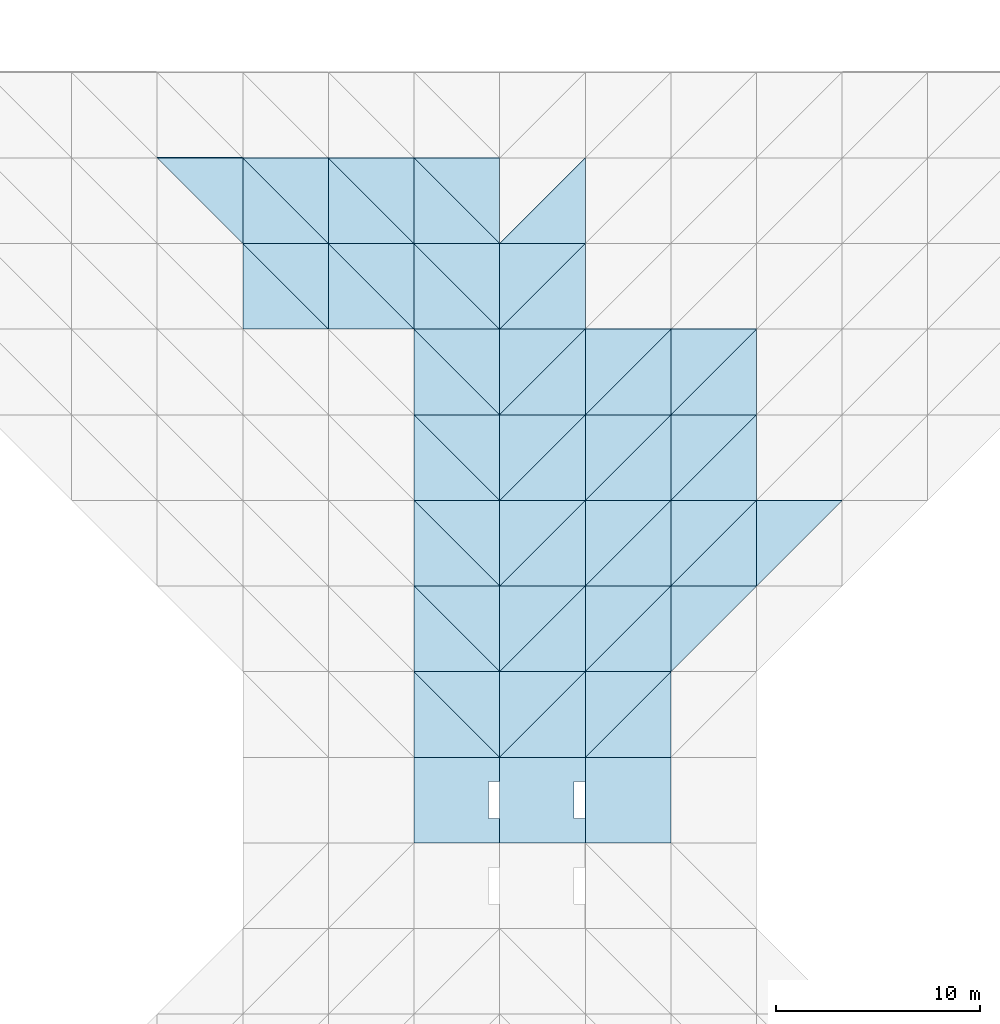
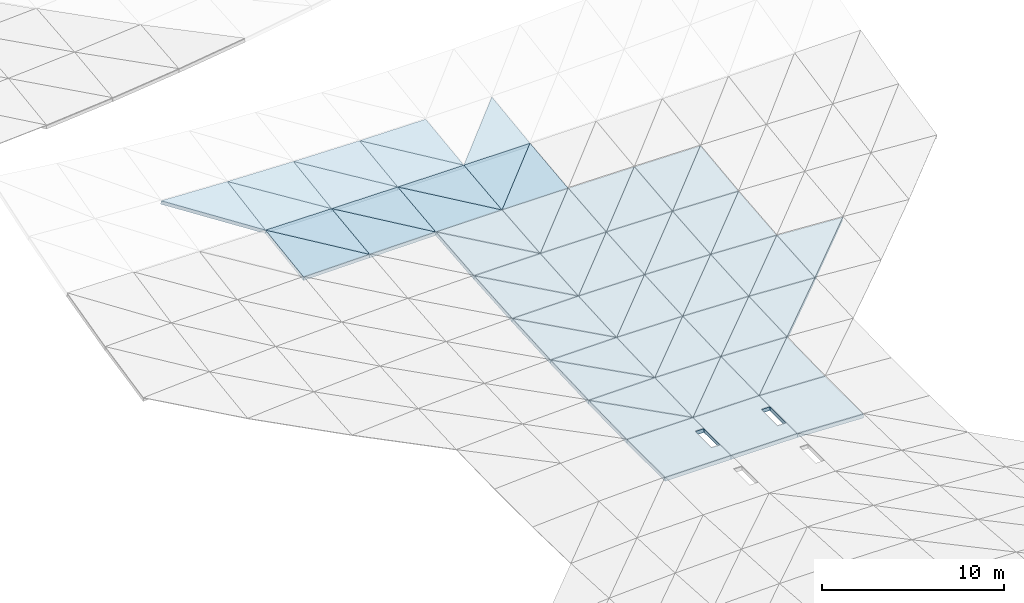
# One storey, part 24 of 64: 57 slabs.
"""IFC4 building model written with IfcOpenShell, lengths in metres."""

import ifcopenshell
import ifcopenshell.guid

model = None  # the IFC model being written
_history = None  # IfcOwnerHistory: only IFC2X3 demands one
_inside = {}  # id of a spatial element -> (the spatial element, [elements in it])
_under = {}  # id of a project, library or spatial element -> (it, [spatial elements below it])
_declared = {}  # id of a project -> (the project, [libraries it declares])
_typed = {}  # id of a type object -> (the type object, [elements of that type])
_made_of = {}  # id of a material, layer set ... -> (it, [elements and type objects made of it])


def new_model(schema):
    """Start an empty IFC model of exactly this schema.

    Asked for "IFC4X3", IfcOpenShell would pick the latest addendum, in which some entities
    have other attributes; the version numbers below select the first issue.
    IFC2X3 requires an IfcOwnerHistory on every rooted entity: one is made here for all.
    """
    global model, _history
    if schema == "IFC4X3":
        model = ifcopenshell.file(schema_version=(4, 3, 0, 0))
    else:
        model = ifcopenshell.file(schema=schema)
    _inside.clear()
    _under.clear()
    _declared.clear()
    _typed.clear()
    _made_of.clear()
    _history = None
    if model.schema == "IFC2X3":
        org = make("IfcOrganization", Name="unknown")
        user = make(
            "IfcPersonAndOrganization",
            ThePerson=make("IfcPerson", FamilyName="unknown"),
            TheOrganization=org,
        )
        app = make(
            "IfcApplication",
            ApplicationDeveloper=org,
            Version="unknown",
            ApplicationFullName="unknown",
            ApplicationIdentifier="unknown",
        )
        _history = make(
            "IfcOwnerHistory",
            OwningUser=user,
            OwningApplication=app,
            ChangeAction="ADDED",
            CreationDate=0,
        )
    return model


def make(cls, **values):
    """One entity of the class cls with the attributes given. An attribute that is None is left unset."""
    return model.create_entity(
        cls, **{name: value for name, value in values.items() if value is not None}
    )


def rooted(cls, **values):
    """An entity with a GlobalId (a new one), such as an element, a storey or a relation."""
    return make(cls, GlobalId=ifcopenshell.guid.new(), OwnerHistory=_history, **values)


def si_unit(unit_type, name, prefix=None):
    """IfcSIUnit, for example si_unit("LENGTHUNIT", "METRE", prefix="MILLI")."""
    return make("IfcSIUnit", UnitType=unit_type, Prefix=prefix, Name=name)


def assignment(units):
    """IfcUnitAssignment: the units of a project."""
    return None if units is None else make("IfcUnitAssignment", Units=units)


def point(xyz):
    """IfcCartesianPoint."""
    return None if xyz is None else make("IfcCartesianPoint", Coordinates=xyz)


def direction(xyz):
    """IfcDirection."""
    return None if xyz is None else make("IfcDirection", DirectionRatios=xyz)


def frame(location, z_axis=None, x_axis=None):
    """IfcAxis2Placement3D, a coordinate frame: its origin and axes. An axis left out is left unset."""
    return make(
        "IfcAxis2Placement3D",
        Location=point(location),
        Axis=direction(z_axis),
        RefDirection=direction(x_axis),
    )


def origin():
    """The frame at (0, 0, 0) with its axes left unset."""
    return frame((0.0, 0.0, 0.0))


def place(relative_to, where):
    """IfcLocalPlacement: puts the frame where relative to a parent placement (None: the world)."""
    return make(
        "IfcLocalPlacement", PlacementRelTo=relative_to, RelativePlacement=where
    )


def context(
    kind, dimensions, precision=None, world=None, true_north=None, identifier=None
):
    """IfcGeometricRepresentationContext, for example the 3D "Model" context."""
    return make(
        "IfcGeometricRepresentationContext",
        ContextIdentifier=identifier,
        ContextType=kind,
        CoordinateSpaceDimension=dimensions,
        Precision=precision,
        WorldCoordinateSystem=world,
        TrueNorth=true_north,
    )


def subcontext(parent, identifier, kind, view, scale=None):
    """IfcGeometricRepresentationSubContext, for example "Body" below "Model"."""
    return make(
        "IfcGeometricRepresentationSubContext",
        ContextIdentifier=identifier,
        ContextType=kind,
        ParentContext=parent,
        TargetScale=scale,
        TargetView=view,
    )


def project(units=None, contexts=None):
    """IfcProject with its units and contexts."""
    return rooted(
        "IfcProject",
        Name="project",
        RepresentationContexts=contexts,
        UnitsInContext=assignment(units),
    )


def spatial(cls, under=None, at=None, **own):
    """A site, building, storey or space (cls), placed at a placement, below another one or the project."""
    s = rooted(cls, ObjectPlacement=at, **own)
    if under is not None:
        _under.setdefault(under.id(), (under, []))[1].append(s)
    return s


def polyline(points):
    """IfcPolyline through the points."""
    return make("IfcPolyline", Points=[point(p) for p in points])


def outline(outer, holes=None, kind="AREA"):
    """IfcArbitraryClosedProfileDef: a profile drawn as a closed curve; with holes, ...WithVoids."""
    if holes is None:
        return make("IfcArbitraryClosedProfileDef", ProfileType=kind, OuterCurve=outer)
    return make(
        "IfcArbitraryProfileDefWithVoids",
        ProfileType=kind,
        OuterCurve=outer,
        InnerCurves=holes,
    )


def extrude(swept, where, along, depth):
    """IfcExtrudedAreaSolid: the profile swept, set in the frame where, extruded along a direction by depth."""
    return make(
        "IfcExtrudedAreaSolid",
        SweptArea=swept,
        Position=where,
        ExtrudedDirection=direction(along),
        Depth=depth,
    )


def shape(context_of_items, identifier, shape_type, items):
    """IfcShapeRepresentation: the items that make up one representation, for example the "Body"."""
    return make(
        "IfcShapeRepresentation",
        ContextOfItems=context_of_items,
        RepresentationIdentifier=identifier,
        RepresentationType=shape_type,
        Items=items,
    )


def material(Name=None, Category=None):
    """IfcMaterial."""
    return make("IfcMaterial", Name=Name, Category=Category)


def layer(
    of_material, thickness, ventilated=None, Name=None, Category=None, Priority=None
):
    """IfcMaterialLayer: one layer of a wall or slab, of a material (None: an air gap)."""
    return make(
        "IfcMaterialLayer",
        Material=of_material,
        LayerThickness=thickness,
        IsVentilated=ventilated,
        Name=Name,
        Category=Category,
        Priority=Priority,
    )


def layer_set(layers, Name=None):
    """IfcMaterialLayerSet."""
    return make("IfcMaterialLayerSet", MaterialLayers=layers, LayerSetName=Name)


def made_of(thing, what):
    """Note that an element or type object is made of a material, layer set ...; save() writes the relation."""
    if what is not None:
        _made_of.setdefault(what.id(), (what, []))[1].append(thing)
    return thing


def type_object(cls, material=None, **own):
    """A type object (cls), such as IfcWallType, which elements share."""
    return made_of(rooted(cls, **own), material)


def element(
    cls,
    number,
    at=None,
    inside=None,
    cuts=None,
    type_object=None,
    material=None,
    context=None,
    identifier="Body",
    shape_type=None,
    held_by="IfcProductDefinitionShape",
    body=None,
    shapes=None,
    **own,
):
    """One element of the class cls, such as IfcWall. Its Tag is "e" and its number.

    at: its placement. inside: the storey or other place that contains it. cuts: it is an
    opening in that element (IfcRelVoidsElement). A single representation is given by context,
    identifier, shape_type and body (its items); several are given by shapes. held_by: the class
    of the entity that holds the representations. save() writes the other relations.
    """
    e = rooted(cls, Tag="e%d" % number, ObjectPlacement=at, **own)
    if body is not None:
        shapes = [shape(context, identifier, shape_type, body)]
    if shapes is not None:
        e.Representation = make(held_by, Representations=shapes)
    if inside is not None:
        _inside.setdefault(inside.id(), (inside, []))[1].append(e)
    if cuts is not None:
        rooted(
            "IfcRelVoidsElement", RelatingBuildingElement=cuts, RelatedOpeningElement=e
        )
    if type_object is not None:
        _typed.setdefault(type_object.id(), (type_object, []))[1].append(e)
    return made_of(e, material)


def aggregate(whole, parts):
    """IfcRelAggregates: a whole, such as a stair, and the parts it consists of."""
    return rooted("IfcRelAggregates", RelatingObject=whole, RelatedObjects=parts)


def save(model, path):
    """Write the relations noted so far, then the file.

    IfcRelAggregates (storeys below a building ...), IfcRelContainedInSpatialStructure (elements
    in a storey), IfcRelDefinesByType, IfcRelAssociatesMaterial and IfcRelDeclares: one each for
    every whole, place, type object, material and project.
    """
    for whole, parts in _under.values():
        aggregate(whole, parts)
    for where, things in _inside.values():
        rooted(
            "IfcRelContainedInSpatialStructure",
            RelatedElements=things,
            RelatingStructure=where,
        )
    for kind, things in _typed.values():
        rooted("IfcRelDefinesByType", RelatedObjects=things, RelatingType=kind)
    for what, things in _made_of.values():
        rooted("IfcRelAssociatesMaterial", RelatedObjects=things, RelatingMaterial=what)
    for by, libraries in _declared.values():
        rooted("IfcRelDeclares", RelatingContext=by, RelatedDefinitions=libraries)
    model.write(path)


model = new_model("IFC4")

# Units and contexts
model_context = context("Model", 3, precision=1e-05, world=origin(), true_north=direction((0.0, 1.0)))
body_context = subcontext(model_context, "Body", "Model", "MODEL_VIEW")
ifc_project = project(units=[si_unit("LENGTHUNIT", "METRE"), si_unit("AREAUNIT", "SQUARE_METRE"), si_unit("VOLUMEUNIT", "CUBIC_METRE"), si_unit("PLANEANGLEUNIT", "RADIAN"), si_unit("MASSUNIT", "GRAM", prefix="KILO")], contexts=[model_context])

# Site, building, storey
site_placement = place(None, origin())
site = spatial("IfcSite", under=ifc_project, at=site_placement, CompositionType="ELEMENT")
building_placement = place(site_placement, origin())
building = spatial("IfcBuilding", under=site, at=building_placement, Name="Cumbredor Promenade Congress Hotel", CompositionType="ELEMENT")
storey_placement = place(building_placement, frame((0.0, 0.0, 18.47998046875)))
storey = spatial("IfcBuildingStorey", under=building, at=storey_placement, Name="L05", CompositionType="ELEMENT", Elevation=18.47998046875)

# Slabs
ifc_material = material(Name="Concrete C40/50", Category="concrete")
ifc_layer = layer(ifc_material, 0.25, Name="Concrete C40/50", Category="concrete")
ifc_layer_set = layer_set([ifc_layer], Name="Concrete C40/50")
slab_type = type_object("IfcSlabType", Name="Catenary Space Frame Roof Deck 250mm", PredefinedType="ROOF", material=ifc_layer_set)
slab_1_placement = place(storey_placement, frame((151.199951171875, 63.0, 1.90869140625), z_axis=(0.041164007817, -0.168148387982, 0.984901844896), x_axis=(0.0, 0.985737352899, 0.168291030952)))
element("IfcSlab", 1, at=slab_1_placement, inside=storey, type_object=slab_type, Name="Grand Ballroom Pavilion Sweeping Roof Deck Facet 3.16.2", PredefinedType="ROOF", context=body_context, shape_type="SweptSolid", body=[
    extrude(outline(polyline([(0.0, 0.0), (4.260720322225189, 3.469446951953614e-18), (4.290261643332224, 4.203514057696152), (0.0, 0.0)])), origin(), (0.0, 0.0, -1.0), 0.25),
])
slab_2_placement = place(storey_placement, frame((151.199951171875, 58.800048828125, 1.294189453125), z_axis=(-0.012825240402, -0.144758430906, 0.9893839042), x_axis=(0.999915992778, 0.0, 0.012961766342)))
element("IfcSlab", 2, at=slab_2_placement, inside=storey, type_object=slab_type, Name="Grand Ballroom Pavilion Sweeping Roof Deck Facet 4.15.1", PredefinedType="ROOF", context=body_context, shape_type="SweptSolid", body=[
    extrude(outline(polyline([(0.0, 0.0), (4.20030402774778, 0.0), (0.00796503073339736, 4.244660063516752), (0.0, 0.0)])), origin(), (0.0, 0.0, -1.0), 0.25),
])
slab_3_placement = place(storey_placement, frame((155.39990234375, 58.800048828125, 1.3486328125), z_axis=(0.006747173413, -0.125543559999, 0.992065164288), x_axis=(0.0, 0.992087746619, 0.125546417741)))
element("IfcSlab", 3, at=slab_3_placement, inside=storey, type_object=slab_type, Name="Grand Ballroom Pavilion Sweeping Roof Deck Facet 4.15.2", PredefinedType="ROOF", context=body_context, shape_type="SweptSolid", body=[
    extrude(outline(polyline([(0.0, 0.0), (4.23344727942287, 8.673617379884035e-19), (4.237033444187431, 4.20004677516082), (0.0, 0.0)])), origin(), (0.0, 0.0, -1.0), 0.25),
])
slab_4_placement = place(storey_placement, frame((151.199951171875, 63.0, 1.90869140625), z_axis=(0.006703986431, -0.168287249121, 0.98571520144), x_axis=(0.999976873054, 0.0, -0.006800982047)))
element("IfcSlab", 4, at=slab_4_placement, inside=storey, type_object=slab_type, Name="Grand Ballroom Pavilion Sweeping Roof Deck Facet 4.16.1", PredefinedType="ROOF", context=body_context, shape_type="SweptSolid", body=[
    extrude(outline(polyline([(0.0, 0.0), (4.200048306164646, 8.673617379884035e-19), (-0.004876583073928053, 4.260717531491642), (0.0, 0.0)])), origin(), (0.0, 0.0, -1.0), 0.25),
])
slab_5_placement = place(storey_placement, frame((155.39990234375, 63.0, 1.880126953125), z_axis=(0.029545158149, -0.14600136517, 0.988843104339), x_axis=(0.0, 0.989274975767, 0.14606513041)))
element("IfcSlab", 5, at=slab_5_placement, inside=storey, type_object=slab_type, Name="Grand Ballroom Pavilion Sweeping Roof Deck Facet 4.16.2", PredefinedType="ROOF", context=body_context, shape_type="SweptSolid", body=[
    extrude(outline(polyline([(0.0, 0.0), (4.245484091639857, 3.469446951953614e-18), (4.263813553805596, 4.201785475923536), (0.0, 0.0)])), origin(), (0.0, 0.0, -1.0), 0.25),
])
slab_6_placement = place(storey_placement, frame((155.39990234375, 58.800048828125, 1.3486328125), z_axis=(-0.007727027974, -0.125542669687, 0.992058128905), x_axis=(0.999969668005, 0.0, 0.007788650053)))
element("IfcSlab", 6, at=slab_6_placement, inside=storey, type_object=slab_type, Name="Grand Ballroom Pavilion Sweeping Roof Deck Facet 5.15.1", PredefinedType="ROOF", context=body_context, shape_type="SweptSolid", body=[
    extrude(outline(polyline([(0.0, 0.0), (4.200322716666966, -8.673617379884035e-19), (0.004139621866575267, 4.233445255484438), (0.0, 0.0)])), origin(), (0.0, 0.0, -1.0), 0.25),
])
slab_7_placement = place(storey_placement, frame((159.60009765625, 58.800048828125, 1.38134765625), z_axis=(0.004042289415, -0.113941437474, 0.993479244233), x_axis=(0.0, 0.99348736111, 0.113942368393)))
element("IfcSlab", 7, at=slab_7_placement, inside=storey, type_object=slab_type, Name="Grand Ballroom Pavilion Sweeping Roof Deck Facet 5.15.2", PredefinedType="ROOF", context=body_context, shape_type="SweptSolid", body=[
    extrude(outline(polyline([(0.0, 0.0), (4.227483243655266, -2.168404344971009e-19), (4.229430500927612, 4.200229628734062), (0.0, 0.0)])), origin(), (0.0, 0.0, -1.0), 0.25),
])
slab_8_placement = place(storey_placement, frame((155.39990234375, 63.0, 1.880126953125), z_axis=(0.004025150391, -0.146063947144, 0.989266961699), x_axis=(0.99999172245, 0.0, -0.004068787524)))
element("IfcSlab", 8, at=slab_8_placement, inside=storey, type_object=slab_type, Name="Grand Ballroom Pavilion Sweeping Roof Deck Facet 5.16.1", PredefinedType="ROOF", context=body_context, shape_type="SweptSolid", body=[
    extrude(outline(polyline([(0.0, 0.0), (4.200230080115418, 0.0), (-0.002523125076227548, 4.245483341883107), (0.0, 0.0)])), origin(), (0.0, 0.0, -1.0), 0.25),
])
slab_9_placement = place(storey_placement, frame((159.60009765625, 63.0, 1.863037109375), z_axis=(0.017741856006, -0.132610800752, 0.99100938546), x_axis=(0.0, 0.991165394015, 0.13263167686)))
element("IfcSlab", 9, at=slab_9_placement, inside=storey, type_object=slab_type, Name="Grand Ballroom Pavilion Sweeping Roof Deck Facet 5.16.2", PredefinedType="ROOF", context=body_context, shape_type="SweptSolid", body=[
    extrude(outline(polyline([(0.0, 0.0), (4.237386814788865, 0.0), (4.247360095177753, 4.200856523596972), (0.0, 0.0)])), origin(), (0.0, 0.0, -1.0), 0.25),
])
slab_10_placement = place(storey_placement, frame((0.0, 0.0, -0.07275390625)))
element("IfcSlab", 10, at=slab_10_placement, inside=storey, type_object=slab_type, Name="Grand Ballroom Pavilion Saddle Skylight Roof Slab 6.9", PredefinedType="ROOF", context=body_context, shape_type="SweptSolid", body=[
    extrude(outline(polyline([(159.60009765625, 33.60009765625), (163.800048828125, 33.60009765625), (163.800048828125, 34.800048828125), (163.25, 34.800048828125), (163.25, 36.60009765625), (163.800048828125, 36.60009765625), (163.800048828125, 37.800048828125), (159.60009765625, 37.800048828125), (159.60009765625, 33.60009765625)])), origin(), (0.0, 0.0, 1.0), 0.25),
])
slab_11_placement = place(storey_placement, frame((159.60009765625, 37.800048828125, 0.17724609375), z_axis=(0.0, -0.019121074856, 0.999817175536), x_axis=(1.0, 0.0, 0.0)))
element("IfcSlab", 11, at=slab_11_placement, inside=storey, type_object=slab_type, Name="Grand Ballroom Pavilion Sweeping Roof Deck Facet 6.10.1", PredefinedType="ROOF", context=body_context, shape_type="SweptSolid", body=[
    extrude(outline(polyline([(0.0, 0.0), (4.199951171875, 0.0), (0.0, 4.200719166105885), (0.0, 0.0)])), origin(), (0.0, 0.0, -1.0), 0.25),
])
slab_12_placement = place(storey_placement, frame((163.800048828125, 37.800048828125, 0.17724609375), z_axis=(-0.011793808563, -0.030907912096, 0.999452653731), x_axis=(0.0, 0.999522169877, 0.030910061871)))
element("IfcSlab", 12, at=slab_12_placement, inside=storey, type_object=slab_type, Name="Grand Ballroom Pavilion Sweeping Roof Deck Facet 6.10.2", PredefinedType="ROOF", context=body_context, shape_type="SweptSolid", body=[
    extrude(outline(polyline([(0.0, 0.0), (4.201958994459262, 0.0), (4.200427074888974, 4.20024329618692), (0.0, 0.0)])), origin(), (0.0, 0.0, -1.0), 0.25),
])
slab_13_placement = place(storey_placement, frame((159.60009765625, 42.0, 0.257568359375), z_axis=(-0.011790825291, -0.03821853715, 0.9991998398), x_axis=(0.999930384115, 0.0, 0.011799445909)))
element("IfcSlab", 13, at=slab_13_placement, inside=storey, type_object=slab_type, Name="Grand Ballroom Pavilion Sweeping Roof Deck Facet 6.11.1", PredefinedType="ROOF", context=body_context, shape_type="SweptSolid", body=[
    extrude(outline(polyline([(0.0, 0.0), (4.200243575549011, -2.168404344971009e-19), (0.0018955164570872225, 4.203021879382985), (0.0, 0.0)])), origin(), (0.0, 0.0, -1.0), 0.25),
])
slab_14_placement = place(storey_placement, frame((163.800048828125, 42.0, 0.30712890625), z_axis=(-0.010455598856, -0.036885029296, 0.999264817286), x_axis=(0.0, 0.999319441354, 0.036887045589)))
element("IfcSlab", 14, at=slab_14_placement, inside=storey, type_object=slab_type, Name="Grand Ballroom Pavilion Sweeping Roof Deck Facet 6.11.2", PredefinedType="ROOF", context=body_context, shape_type="SweptSolid", body=[
    extrude(outline(polyline([(0.0, 0.0), (4.202811431532914, 2.168404344971009e-19), (4.2011904187873235, 4.200180759079613), (0.0, 0.0)])), origin(), (0.0, 0.0, -1.0), 0.25),
])
slab_15_placement = place(storey_placement, frame((159.60009765625, 46.199951171875, 0.418212890625), z_axis=(-0.010445577254, -0.05721855096, 0.998307030598), x_axis=(0.999945264262, 0.0, 0.01046271857)))
element("IfcSlab", 15, at=slab_15_placement, inside=storey, type_object=slab_type, Name="Grand Ballroom Pavilion Sweeping Roof Deck Facet 6.12.1", PredefinedType="ROOF", context=body_context, shape_type="SweptSolid", body=[
    extrude(outline(polyline([(0.0, 0.0), (4.200181071885462, 4.336808689942018e-19), (0.0025186134058709946, 4.20684334150355), (0.0, 0.0)])), origin(), (0.0, 0.0, -1.0), 0.25),
])
slab_16_placement = place(storey_placement, frame((163.800048828125, 46.199951171875, 0.462158203125), z_axis=(-0.008531629051, -0.055310493103, 0.998432752196), x_axis=(0.0, 0.998469091488, 0.055312506202)))
element("IfcSlab", 16, at=slab_16_placement, inside=storey, type_object=slab_type, Name="Grand Ballroom Pavilion Sweeping Roof Deck Facet 6.12.2", PredefinedType="ROOF", context=body_context, shape_type="SweptSolid", body=[
    extrude(outline(polyline([(0.0, 0.0), (4.206390771309889, 0.0), (4.20440567892423, 4.200104034700969), (0.0, 0.0)])), origin(), (0.0, 0.0, -1.0), 0.25),
])
slab_17_placement = place(storey_placement, frame((159.60009765625, 50.39990234375, 0.658935546875), z_axis=(-0.008519859035, -0.07621063544, 0.997055340013), x_axis=(0.999963493305, 0.0, 0.008544709267)))
element("IfcSlab", 17, at=slab_17_placement, inside=storey, type_object=slab_type, Name="Grand Ballroom Pavilion Sweeping Roof Deck Facet 6.13.1", PredefinedType="ROOF", context=body_context, shape_type="SweptSolid", body=[
    extrude(outline(polyline([(0.0, 0.0), (4.200104503807392, 0.0), (0.002743235518988233, 4.212446199023506), (0.0, 0.0)])), origin(), (0.0, 0.0, -1.0), 0.25),
])
slab_18_placement = place(storey_placement, frame((163.800048828125, 50.39990234375, 0.69482421875), z_axis=(-0.005913005469, -0.07361843576, 0.997268951829), x_axis=(0.0, 0.99728638636, 0.073619722778)))
element("IfcSlab", 18, at=slab_18_placement, inside=storey, type_object=slab_type, Name="Grand Ballroom Pavilion Sweeping Roof Deck Facet 6.13.2", PredefinedType="ROOF", context=body_context, shape_type="SweptSolid", body=[
    extrude(outline(polyline([(0.0, 0.0), (4.211624032924259, 2.168404344971009e-19), (4.209790729280856, 4.2000245965775225), (0.0, 0.0)])), origin(), (0.0, 0.0, -1.0), 0.25),
])
slab_19_placement = place(storey_placement, frame((159.60009765625, 54.60009765625, 0.97998046875), z_axis=(-0.005902205085, -0.095129658429, 0.995447392916), x_axis=(0.999982422767, 0.0, 0.005929094177)))
element("IfcSlab", 19, at=slab_19_placement, inside=storey, type_object=slab_type, Name="Grand Ballroom Pavilion Sweeping Roof Deck Facet 6.14.1", PredefinedType="ROOF", context=body_context, shape_type="SweptSolid", body=[
    extrude(outline(polyline([(0.0, 0.0), (4.200024996694476, -4.336808689942018e-19), (0.0023797438541346794, 4.21908518545846), (0.0, 0.0)])), origin(), (0.0, 0.0, -1.0), 0.25),
])
slab_20_placement = place(storey_placement, frame((163.800048828125, 54.60009765625, 1.0048828125), z_axis=(-0.002604753796, -0.091860983861, 0.995768434377), x_axis=(0.0, 0.99577181241, 0.091861295489)))
element("IfcSlab", 20, at=slab_20_placement, inside=storey, type_object=slab_type, Name="Grand Ballroom Pavilion Sweeping Roof Deck Facet 6.14.2", PredefinedType="ROOF", context=body_context, shape_type="SweptSolid", body=[
    extrude(outline(polyline([(0.0, 0.0), (4.2177847570403, 0.0), (4.216775538706071, 4.1999654197407645), (0.0, 0.0)])), origin(), (0.0, 0.0, -1.0), 0.25),
])
slab_21_placement = place(storey_placement, frame((159.60009765625, 58.800048828125, 1.38134765625), z_axis=(-0.002598778137, -0.113941983629, 0.993484006272), x_axis=(0.999996578753, 0.0, 0.002615813872)))
element("IfcSlab", 21, at=slab_21_placement, inside=storey, type_object=slab_type, Name="Grand Ballroom Pavilion Sweeping Roof Deck Facet 6.15.1", PredefinedType="ROOF", context=body_context, shape_type="SweptSolid", body=[
    extrude(outline(polyline([(0.0, 0.0), (4.199965540994337, 0.0), (0.001260009953588853, 4.227483055881001), (0.0, 0.0)])), origin(), (0.0, 0.0, -1.0), 0.25),
])
slab_22_placement = place(storey_placement, frame((163.800048828125, 58.800048828125, 1.392333984375), z_axis=(0.001328852181, -0.110063626293, 0.993923655176), x_axis=(0.0, 0.993924532737, 0.110063723471)))
element("IfcSlab", 22, at=slab_22_placement, inside=storey, type_object=slab_type, Name="Grand Ballroom Pavilion Sweeping Roof Deck Facet 6.15.2", PredefinedType="ROOF", context=body_context, shape_type="SweptSolid", body=[
    extrude(outline(polyline([(0.0, 0.0), (4.225623811005921, 1.0842021724855044e-19), (4.226241844609393, 4.199954880117849), (0.0, 0.0)])), origin(), (0.0, 0.0, -1.0), 0.25),
])
slab_23_placement = place(storey_placement, frame((159.60009765625, 63.0, 1.863037109375), z_axis=(0.001325163288, -0.132631560406, 0.991164523743), x_axis=(0.999999106249, 0.0, -0.001336974914)))
element("IfcSlab", 23, at=slab_23_placement, inside=storey, type_object=slab_type, Name="Grand Ballroom Pavilion Sweeping Roof Deck Facet 6.16.1", PredefinedType="ROOF", context=body_context, shape_type="SweptSolid", body=[
    extrude(outline(polyline([(0.0, 0.0), (4.199954925590426, -2.168404344971009e-19), (-0.0007513955692832083, 4.23738674816817), (0.0, 0.0)])), origin(), (0.0, 0.0, -1.0), 0.25),
])
slab_24_placement = place(storey_placement, frame((163.800048828125, 63.0, 1.857421875), z_axis=(0.005937895527, -0.128097124871, 0.991743852008), x_axis=(0.0, 0.991761336222, 0.128099383194)))
element("IfcSlab", 24, at=slab_24_placement, inside=storey, type_object=slab_type, Name="Grand Ballroom Pavilion Sweeping Roof Deck Facet 6.16.2", PredefinedType="ROOF", context=body_context, shape_type="SweptSolid", body=[
    extrude(outline(polyline([(0.0, 0.0), (4.2348405997285665, -8.673617379884035e-19), (4.238061848866501, 4.200025216039137), (0.0, 0.0)])), origin(), (0.0, 0.0, -1.0), 0.25),
])
slab_25_placement = place(storey_placement, frame((0.0, 0.0, -0.07275390625)))
element("IfcSlab", 25, at=slab_25_placement, inside=storey, type_object=slab_type, Name="Grand Ballroom Pavilion Saddle Skylight Roof Slab 7.9", PredefinedType="ROOF", context=body_context, shape_type="SweptSolid", body=[
    extrude(outline(polyline([(163.800048828125, 33.60009765625), (168.0, 33.60009765625), (168.0, 34.800048828125), (167.449951171875, 34.800048828125), (167.449951171875, 36.60009765625), (168.0, 36.60009765625), (168.0, 37.800048828125), (163.800048828125, 37.800048828125), (163.800048828125, 33.60009765625)])), origin(), (0.0, 0.0, 1.0), 0.25),
])
slab_26_placement = place(storey_placement, frame((163.800048828125, 37.800048828125, 0.17724609375), z_axis=(0.0, -0.019121074856, 0.999817175536), x_axis=(1.0, 0.0, 0.0)))
element("IfcSlab", 26, at=slab_26_placement, inside=storey, type_object=slab_type, Name="Grand Ballroom Pavilion Sweeping Roof Deck Facet 7.10.1", PredefinedType="ROOF", context=body_context, shape_type="SweptSolid", body=[
    extrude(outline(polyline([(0.0, 0.0), (4.199951171875, 0.0), (4.199951171875, 4.200719166105885), (0.0, 0.0)])), origin(), (0.0, 0.0, -1.0), 0.25),
])
slab_27_placement = place(storey_placement, frame((163.800048828125, 37.800048828125, 0.17724609375), z_axis=(0.011793808563, -0.030907912096, 0.999452653731), x_axis=(0.707042134113, 0.707042134113, 0.013521877703)))
element("IfcSlab", 27, at=slab_27_placement, inside=storey, type_object=slab_type, Name="Grand Ballroom Pavilion Sweeping Roof Deck Facet 7.10.2", PredefinedType="ROOF", context=body_context, shape_type="SweptSolid", body=[
    extrude(outline(polyline([(0.0, 0.0), (5.940170987322125, 1.5439038936193583e-16), (2.9712986992410975, 2.971168697836806), (0.0, 0.0)])), origin(), (0.0, 0.0, -1.0), 0.25),
])
slab_28_placement = place(storey_placement, frame((163.800048828125, 42.0, 0.30712890625), z_axis=(0.011790825291, -0.03821853715, 0.9991998398), x_axis=(0.999930384115, 0.0, -0.011799445909)))
element("IfcSlab", 28, at=slab_28_placement, inside=storey, type_object=slab_type, Name="Grand Ballroom Pavilion Sweeping Roof Deck Facet 7.11.1", PredefinedType="ROOF", context=body_context, shape_type="SweptSolid", body=[
    extrude(outline(polyline([(0.0, 0.0), (4.200243575549011, 2.168404344971009e-19), (4.1983480590919235, 4.203021879382985), (0.0, 0.0)])), origin(), (0.0, 0.0, -1.0), 0.25),
])
slab_29_placement = place(storey_placement, frame((163.800048828125, 42.0, 0.30712890625), z_axis=(0.010455598856, -0.036885029296, 0.999264817286), x_axis=(0.706983150718, 0.706983150718, 0.018698909119)))
element("IfcSlab", 29, at=slab_29_placement, inside=storey, type_object=slab_type, Name="Grand Ballroom Pavilion Sweeping Roof Deck Facet 7.11.2", PredefinedType="ROOF", context=body_context, shape_type="SweptSolid", body=[
    extrude(outline(polyline([(0.0, 0.0), (5.940666574034686, 1.5482407023093003e-16), (2.9721935910862025, 2.971479292562856), (0.0, 0.0)])), origin(), (0.0, 0.0, -1.0), 0.25),
])
slab_30_placement = place(storey_placement, frame((163.800048828125, 46.199951171875, 0.462158203125), z_axis=(0.010445577254, -0.05721855096, 0.998307030598), x_axis=(0.999945264262, 0.0, -0.01046271857)))
element("IfcSlab", 30, at=slab_30_placement, inside=storey, type_object=slab_type, Name="Grand Ballroom Pavilion Sweeping Roof Deck Facet 7.12.1", PredefinedType="ROOF", context=body_context, shape_type="SweptSolid", body=[
    extrude(outline(polyline([(0.0, 0.0), (4.200181071885462, -4.336808689942018e-19), (4.197662458479591, 4.20684334150355), (0.0, 0.0)])), origin(), (0.0, 0.0, -1.0), 0.25),
])
slab_31_placement = place(storey_placement, frame((163.800048828125, 46.199951171875, 0.462158203125), z_axis=(0.008531629051, -0.055310493103, 0.998432752196), x_axis=(0.706719051196, 0.706719051196, 0.0331114082)))
element("IfcSlab", 31, at=slab_31_placement, inside=storey, type_object=slab_type, Name="Grand Ballroom Pavilion Sweeping Roof Deck Facet 7.12.2", PredefinedType="ROOF", context=body_context, shape_type="SweptSolid", body=[
    extrude(outline(polyline([(0.0, 0.0), (5.94288658946826, 6.591949208711867e-17), (2.975889406675044, 2.972844691570729), (0.0, 0.0)])), origin(), (0.0, 0.0, -1.0), 0.25),
])
slab_32_placement = place(storey_placement, frame((163.800048828125, 50.39990234375, 0.69482421875), z_axis=(0.008519859035, -0.07621063544, 0.997055340013), x_axis=(0.999963493305, 0.0, -0.008544709267)))
element("IfcSlab", 32, at=slab_32_placement, inside=storey, type_object=slab_type, Name="Grand Ballroom Pavilion Sweeping Roof Deck Facet 7.13.1", PredefinedType="ROOF", context=body_context, shape_type="SweptSolid", body=[
    extrude(outline(polyline([(0.0, 0.0), (4.200104503807392, 0.0), (4.197361268288404, 4.212446199023506), (0.0, 0.0)])), origin(), (0.0, 0.0, -1.0), 0.25),
])
slab_33_placement = place(storey_placement, frame((163.800048828125, 50.39990234375, 0.69482421875), z_axis=(0.005913005469, -0.07361843576, 0.997268951829), x_axis=(0.706272810215, 0.706313865427, 0.047952487492)))
element("IfcSlab", 33, at=slab_33_placement, inside=storey, type_object=slab_type, Name="Grand Ballroom Pavilion Sweeping Roof Deck Facet 7.13.2", PredefinedType="ROOF", context=body_context, shape_type="SweptSolid", body=[
    extrude(outline(polyline([(0.0, 0.0), (5.946641455157291, -5.655198531684391e-16), (2.981524267558524, 2.974607543301268), (0.0, 0.0)])), origin(), (0.0, 0.0, -1.0), 0.25),
])
slab_34_placement = place(storey_placement, frame((163.800048828125, 54.60009765625, 1.0048828125), z_axis=(0.005902205085, -0.095129658429, 0.995447392916), x_axis=(0.999982422767, 0.0, -0.005929094177)))
element("IfcSlab", 34, at=slab_34_placement, inside=storey, type_object=slab_type, Name="Grand Ballroom Pavilion Sweeping Roof Deck Facet 7.14.1", PredefinedType="ROOF", context=body_context, shape_type="SweptSolid", body=[
    extrude(outline(polyline([(0.0, 0.0), (4.200024996694476, 4.336808689942018e-19), (4.197645252840341, 4.219085185458459), (0.0, 0.0)])), origin(), (0.0, 0.0, -1.0), 0.25),
])
slab_35_placement = place(storey_placement, frame((163.800048828125, 54.60009765625, 1.0048828125), z_axis=(0.002604753796, -0.091860983861, 0.995768434377), x_axis=(0.705690728944, 0.705690728944, 0.063254961578)))
element("IfcSlab", 35, at=slab_35_placement, inside=storey, type_object=slab_type, Name="Grand Ballroom Pavilion Sweeping Roof Deck Facet 7.14.2", PredefinedType="ROOF", context=body_context, shape_type="SweptSolid", body=[
    extrude(outline(polyline([(0.0, 0.0), (5.95154647724842, -9.020562075079397e-17), (2.988374813001143, 2.976461697005671), (0.0, 0.0)])), origin(), (0.0, 0.0, -1.0), 0.25),
])
slab_36_placement = place(storey_placement, frame((163.800048828125, 58.800048828125, 1.392333984375), z_axis=(0.002598778137, -0.113941983629, 0.993484006272), x_axis=(0.999996578753, 0.0, -0.002615813872)))
element("IfcSlab", 36, at=slab_36_placement, inside=storey, type_object=slab_type, Name="Grand Ballroom Pavilion Sweeping Roof Deck Facet 7.15.1", PredefinedType="ROOF", context=body_context, shape_type="SweptSolid", body=[
    extrude(outline(polyline([(0.0, 0.0), (4.199965540994337, 0.0), (4.198705531040748, 4.227483055881), (0.0, 0.0)])), origin(), (0.0, 0.0, -1.0), 0.25),
])
slab_37_placement = place(storey_placement, frame((163.800048828125, 58.800048828125, 1.392333984375), z_axis=(-0.001328852181, -0.110063626293, 0.993923655176), x_axis=(0.704896787905, 0.704896787905, 0.079000232929)))
element("IfcSlab", 37, at=slab_37_placement, inside=storey, type_object=slab_type, Name="Grand Ballroom Pavilion Sweeping Roof Deck Facet 7.15.2", PredefinedType="ROOF", context=body_context, shape_type="SweptSolid", body=[
    extrude(outline(polyline([(0.0, 0.0), (5.958249837339245, 4.0939474033052647e-16), (2.9972741421037905, 2.9786312811786875), (0.0, 0.0)])), origin(), (0.0, 0.0, -1.0), 0.25),
])
slab_38_placement = place(storey_placement, frame((163.800048828125, 63.0, 1.857421875), z_axis=(-0.001325163288, -0.132631560406, 0.991164523743), x_axis=(0.999999106249, 0.0, 0.001336974914)))
element("IfcSlab", 38, at=slab_38_placement, inside=storey, type_object=slab_type, Name="Grand Ballroom Pavilion Sweeping Roof Deck Facet 7.16.1", PredefinedType="ROOF", context=body_context, shape_type="SweptSolid", body=[
    extrude(outline(polyline([(0.0, 0.0), (4.199954925590426, 2.168404344971009e-19), (4.200706321159709, 4.23738674816817), (0.0, 0.0)])), origin(), (0.0, 0.0, -1.0), 0.25),
])
slab_39_placement = place(storey_placement, frame((168.0, 33.60009765625, 0.17724609375), z_axis=(0.037409127573, 0.0, 0.999300033611), x_axis=(0.999300033611, 0.0, -0.037409127573)))
element("IfcSlab", 39, at=slab_39_placement, inside=storey, type_object=slab_type, Name="Grand Ballroom Pavilion Sweeping Roof Deck Facet 8.9", PredefinedType="ROOF", context=body_context, shape_type="SweptSolid", body=[
    extrude(outline(polyline([(0.0, 0.0), (4.202893055752163, 0.0), (4.202893055752163, 4.199951171875), (0.0, 4.199951171875), (0.0, 0.0)])), origin(), (0.0, 0.0, -1.0), 0.25),
])
slab_40_placement = place(storey_placement, frame((168.0, 37.800048828125, 0.17724609375), z_axis=(0.037400859503, -0.021023464503, 0.999079170861), x_axis=(0.999300033611, 0.0, -0.037409127573)))
element("IfcSlab", 40, at=slab_40_placement, inside=storey, type_object=slab_type, Name="Grand Ballroom Pavilion Sweeping Roof Deck Facet 8.10.1", PredefinedType="ROOF", context=body_context, shape_type="SweptSolid", body=[
    extrude(outline(polyline([(0.0, 0.0), (4.202893055752163, -4.336808689942018e-19), (4.199586877973459, 4.200879639598429), (0.0, 0.0)])), origin(), (0.0, 0.0, -1.0), 0.25),
])
slab_41_placement = place(storey_placement, frame((168.0, 37.800048828125, 0.17724609375), z_axis=(0.035488199323, -0.019109030404, 0.999187386162), x_axis=(0.70705928365, 0.70705928365, -0.011590462012)))
element("IfcSlab", 41, at=slab_41_placement, inside=storey, type_object=slab_type, Name="Grand Ballroom Pavilion Sweeping Roof Deck Facet 8.10.2", PredefinedType="ROOF", context=body_context, shape_type="SweptSolid", body=[
    extrude(outline(polyline([(0.0, 0.0), (5.940026910043379, -9.80118763926896e-17), (2.9686834947810765, 2.9720295793117093), (0.0, 0.0)])), origin(), (0.0, 0.0, -1.0), 0.25),
])
slab_42_placement = place(storey_placement, frame((168.0, 42.0, 0.257568359375), z_axis=(0.035463154238, -0.042137888668, 0.998482229702), x_axis=(0.999369865295, 0.0, -0.035494680445)))
element("IfcSlab", 42, at=slab_42_placement, inside=storey, type_object=slab_type, Name="Grand Ballroom Pavilion Sweeping Roof Deck Facet 8.11.1", PredefinedType="ROOF", context=body_context, shape_type="SweptSolid", body=[
    extrude(outline(polyline([(0.0, 0.0), (4.202599375592014, 0.0), (4.196308082134233, 4.203684864914406), (0.0, 0.0)])), origin(), (0.0, 0.0, -1.0), 0.25),
])
slab_43_placement = place(storey_placement, frame((168.0, 42.0, 0.257568359375), z_axis=(0.031525520503, -0.038202196116, 0.998772613646), x_axis=(0.707098881588, 0.707098881588, 0.004726871556)))
element("IfcSlab", 43, at=slab_43_placement, inside=storey, type_object=slab_type, Name="Grand Ballroom Pavilion Sweeping Roof Deck Facet 8.11.2", PredefinedType="ROOF", context=body_context, shape_type="SweptSolid", body=[
    extrude(outline(polyline([(0.0, 0.0), (5.939694265170181, -2.255140518769849e-16), (2.9705401224214047, 2.973430324160858), (0.0, 0.0)])), origin(), (0.0, 0.0, -1.0), 0.25),
])
slab_44_placement = place(storey_placement, frame((168.0, 46.199951171875, 0.418212890625), z_axis=(0.031485590293, -0.063145134124, 0.997507568713), x_axis=(0.999502220604, 0.0, -0.031548550008)))
element("IfcSlab", 44, at=slab_44_placement, inside=storey, type_object=slab_type, Name="Grand Ballroom Pavilion Sweeping Roof Deck Facet 8.12.1", PredefinedType="ROOF", context=body_context, shape_type="SweptSolid", body=[
    extrude(outline(polyline([(0.0, 0.0), (4.202042862232793, 0.0), (4.193655076354196, 4.208349544788184), (0.0, 0.0)])), origin(), (0.0, 0.0, -1.0), 0.25),
])
slab_45_placement = place(storey_placement, frame((168.0, 46.199951171875, 0.418212890625), z_axis=(0.025526705562, -0.057203026554, 0.998036172218), x_axis=(0.706928773851, 0.706928773851, 0.022436965095)))
element("IfcSlab", 45, at=slab_45_placement, inside=storey, type_object=slab_type, Name="Grand Ballroom Pavilion Sweeping Roof Deck Facet 8.12.2", PredefinedType="ROOF", context=body_context, shape_type="SweptSolid", body=[
    extrude(outline(polyline([(0.0, 0.0), (5.941123529312468, -1.3444106938820255e-16), (2.974467418004003, 2.974908540207386), (0.0, 0.0)])), origin(), (0.0, 0.0, -1.0), 0.25),
])
slab_46_placement = place(storey_placement, frame((168.0, 50.39990234375, 0.658935546875), z_axis=(0.02547817406, -0.084015185704, 0.996138700793), x_axis=(0.999673070611, 0.0, -0.025568572404)))
element("IfcSlab", 46, at=slab_46_placement, inside=storey, type_object=slab_type, Name="Grand Ballroom Pavilion Sweeping Roof Deck Facet 8.13.1", PredefinedType="ROOF", context=body_context, shape_type="SweptSolid", body=[
    extrude(outline(polyline([(0.0, 0.0), (4.201324708394092, 0.0), (4.192267091558533, 4.215097899389644), (0.0, 0.0)])), origin(), (0.0, 0.0, -1.0), 0.25),
])
slab_47_placement = place(storey_placement, frame((168.0, 50.39990234375, 0.658935546875), z_axis=(0.017617205301, -0.076201573641, 0.996936785484), x_axis=(0.706476525605, 0.706517592658, 0.041518791338)))
element("IfcSlab", 47, at=slab_47_placement, inside=storey, type_object=slab_type, Name="Grand Ballroom Pavilion Sweeping Roof Deck Facet 8.13.2", PredefinedType="ROOF", context=body_context, shape_type="SweptSolid", body=[
    extrude(outline(polyline([(0.0, 0.0), (5.944926716823651, 5.412337245047638e-16), (2.9808412780034206, 2.9764569172691946), (0.0, 0.0)])), origin(), (0.0, 0.0, -1.0), 0.25),
])
slab_48_placement = place(storey_placement, frame((168.0, 54.60009765625, 0.97998046875), z_axis=(0.017571191108, -0.104849146938, 0.994332896785), x_axis=(0.999843898494, 0.0, -0.017668577873)))
element("IfcSlab", 48, at=slab_48_placement, inside=storey, type_object=slab_type, Name="Grand Ballroom Pavilion Sweeping Roof Deck Facet 8.14.1", PredefinedType="ROOF", context=body_context, shape_type="SweptSolid", body=[
    extrude(outline(polyline([(0.0, 0.0), (4.200606892936514, 1.734723475976807e-18), (4.192781990529071, 4.223229027973242), (0.0, 0.0)])), origin(), (0.0, 0.0, -1.0), 0.25),
])
slab_49_placement = place(storey_placement, frame((168.0, 54.60009765625, 0.97998046875), z_axis=(0.007753779236, -0.0951284557, 0.99543480742), x_axis=(0.705748724258, 0.705748724258, 0.061947368112)))
element("IfcSlab", 49, at=slab_49_placement, inside=storey, type_object=slab_type, Name="Grand Ballroom Pavilion Sweeping Roof Deck Facet 8.14.2", PredefinedType="ROOF", context=body_context, shape_type="SweptSolid", body=[
    extrude(outline(polyline([(0.0, 0.0), (5.951057405438192, -5.898059818321144e-17), (2.9889738224094082, 2.9777039735821855), (0.0, 0.0)])), origin(), (0.0, 0.0, -1.0), 0.25),
])
slab_50_placement = place(storey_placement, frame((172.199951171875, 42.0, 0.1083984375), z_axis=(0.052372191237, -0.042106545778, 0.997739541357), x_axis=(0.707088068079, 0.707088068079, -0.007275160614)))
element("IfcSlab", 50, at=slab_50_placement, inside=storey, type_object=slab_type, Name="Grand Ballroom Pavilion Sweeping Roof Deck Facet 9.11.2", PredefinedType="ROOF", context=body_context, shape_type="SweptSolid", body=[
    extrude(outline(polyline([(0.0, 0.0), (5.93978510101035, 2.40692882291782e-16), (2.9684458663449096, 2.976463532863058), (0.0, 0.0)])), origin(), (0.0, 0.0, -1.0), 0.25),
])
slab_51_placement = place(storey_placement, frame((172.199951171875, 46.199951171875, 0.28564453125), z_axis=(0.052279466529, -0.072832302208, 0.995973048398), x_axis=(0.998625195951, 0.0, -0.052418679994)))
element("IfcSlab", 51, at=slab_51_placement, inside=storey, type_object=slab_type, Name="Grand Ballroom Pavilion Sweeping Roof Deck Facet 9.12.1", PredefinedType="ROOF", context=body_context, shape_type="SweptSolid", body=[
    extrude(outline(polyline([(0.0, 0.0), (4.2057332309510365, 0.0), (4.18963393909729, 4.211135099232784), (0.0, 0.0)])), origin(), (0.0, 0.0, -1.0), 0.25),
])
slab_52_placement = place(storey_placement, frame((172.199951171875, 46.199951171875, 0.28564453125), z_axis=(0.042543191666, -0.06311925848, 0.997098809573), x_axis=(0.707031514293, 0.707031514293, 0.014590256791)))
element("IfcSlab", 52, at=slab_52_placement, inside=storey, type_object=slab_type, Name="Grand Ballroom Pavilion Sweeping Roof Deck Facet 9.12.2", PredefinedType="ROOF", context=body_context, shape_type="SweptSolid", body=[
    extrude(outline(polyline([(0.0, 0.0), (5.940260210430701, -1.6479873021779667e-17), (2.9733769360417455, 2.9781379824121426), (0.0, 0.0)])), origin(), (0.0, 0.0, -1.0), 0.25),
])
slab_53_placement = place(storey_placement, frame((172.199951171875, 50.39990234375, 0.551513671875), z_axis=(0.042427226709, -0.096987395447, 0.99438090064), x_axis=(0.999091005461, 0.0, -0.042628192641)))
element("IfcSlab", 53, at=slab_53_placement, inside=storey, type_object=slab_type, Name="Grand Ballroom Pavilion Sweeping Roof Deck Facet 9.13.1", PredefinedType="ROOF", context=body_context, shape_type="SweptSolid", body=[
    extrude(outline(polyline([(0.0, 0.0), (4.203772378011778, 6.938893903907228e-18), (4.186308972920939, 4.220090465529069), (0.0, 0.0)])), origin(), (0.0, 0.0, -1.0), 0.25),
])
slab_54_placement = place(storey_placement, frame((172.199951171875, 50.39990234375, 0.551513671875), z_axis=(0.029354682769, -0.084006250293, 0.996032756746), x_axis=(0.706554571193, 0.706595642783, 0.038771581422)))
element("IfcSlab", 54, at=slab_54_placement, inside=storey, type_object=slab_type, Name="Grand Ballroom Pavilion Sweeping Roof Deck Facet 9.13.2", PredefinedType="ROOF", context=body_context, shape_type="SweptSolid", body=[
    extrude(outline(polyline([(0.0, 0.0), (5.944270043832777, 2.393918396847994e-16), (2.9815744636447383, 2.979487549831904), (0.0, 0.0)])), origin(), (0.0, 0.0, -1.0), 0.25),
])
slab_55_placement = place(storey_placement, frame((172.199951171875, 54.60009765625, 0.90576171875), z_axis=(0.029242340256, -0.121006765005, 0.992220866722), x_axis=(0.999565994989, 0.0, -0.029458812966)))
element("IfcSlab", 55, at=slab_55_placement, inside=storey, type_object=slab_type, Name="Grand Ballroom Pavilion Sweeping Roof Deck Facet 9.14.1", PredefinedType="ROOF", context=body_context, shape_type="SweptSolid", body=[
    extrude(outline(polyline([(0.0, 0.0), (4.201774763176752, 0.0), (4.186685752043128, 4.231042213301485), (0.0, 0.0)])), origin(), (0.0, 0.0, -1.0), 0.25),
])
slab_56_placement = place(storey_placement, frame((172.199951171875, 54.60009765625, 0.90576171875), z_axis=(0.012890312655, -0.104856624021, 0.994403805422), x_axis=(0.705599595622, 0.705599595622, 0.065256580633)))
element("IfcSlab", 56, at=slab_56_placement, inside=storey, type_object=slab_type, Name="Grand Ballroom Pavilion Sweeping Roof Deck Facet 9.14.2", PredefinedType="ROOF", context=body_context, shape_type="SweptSolid", body=[
    extrude(outline(polyline([(0.0, 0.0), (5.952315162783306, 1.249000902703301e-16), (2.9923841017468824, 2.9801614116396458), (0.0, 0.0)])), origin(), (0.0, 0.0, -1.0), 0.25),
])
slab_57_placement = place(storey_placement, frame((176.39990234375, 46.199951171875, 0.065185546875), z_axis=(0.059431209158, -0.072803122817, 0.99557402371), x_axis=(0.707095460922, 0.707054360279, 0.009494248516)))
element("IfcSlab", 57, at=slab_57_placement, inside=storey, type_object=slab_type, Name="Grand Ballroom Pavilion Sweeping Roof Deck Facet 10.12.2", PredefinedType="ROOF", context=body_context, shape_type="SweptSolid", body=[
    extrude(outline(polyline([(0.0, 0.0), (5.940068271723064, 2.7755575615628914e-16), (2.972509747194337, 2.982968959614425), (0.0, 0.0)])), origin(), (0.0, 0.0, -1.0), 0.25),
])

save(model, "model.ifc")
